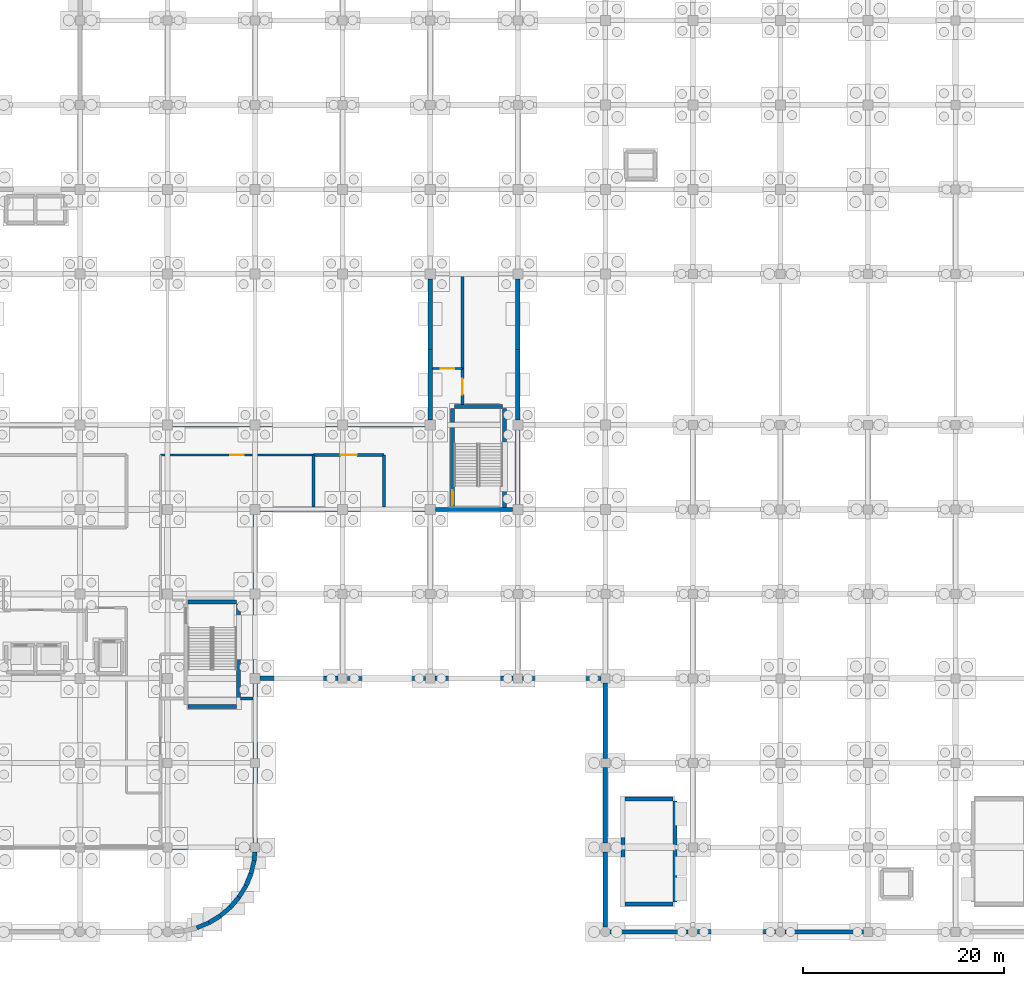
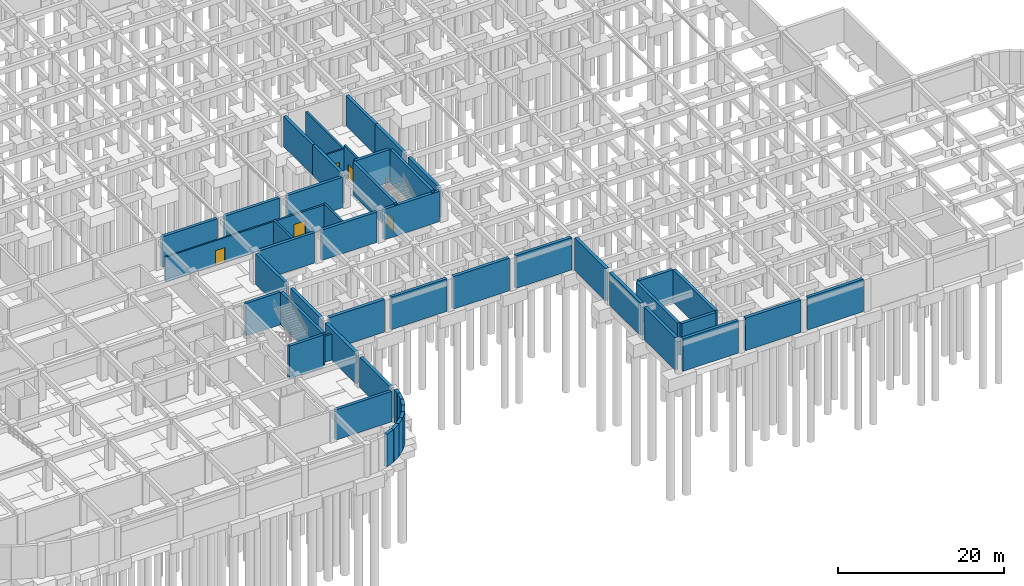
# One storey, part 26 of 33: 52 walls, 5 doors, 5 openings.
"""IFC4 building model written with IfcOpenShell, lengths in metres."""

import ifcopenshell
import ifcopenshell.guid

model = None  # the IFC model being written
_history = None  # IfcOwnerHistory: only IFC2X3 demands one
_inside = {}  # id of a spatial element -> (the spatial element, [elements in it])
_under = {}  # id of a project, library or spatial element -> (it, [spatial elements below it])
_declared = {}  # id of a project -> (the project, [libraries it declares])
_typed = {}  # id of a type object -> (the type object, [elements of that type])
_made_of = {}  # id of a material, layer set ... -> (it, [elements and type objects made of it])


def new_model(schema):
    """Start an empty IFC model of exactly this schema.

    Asked for "IFC4X3", IfcOpenShell would pick the latest addendum, in which some entities
    have other attributes; the version numbers below select the first issue.
    IFC2X3 requires an IfcOwnerHistory on every rooted entity: one is made here for all.
    """
    global model, _history
    if schema == "IFC4X3":
        model = ifcopenshell.file(schema_version=(4, 3, 0, 0))
    else:
        model = ifcopenshell.file(schema=schema)
    _inside.clear()
    _under.clear()
    _declared.clear()
    _typed.clear()
    _made_of.clear()
    _history = None
    if model.schema == "IFC2X3":
        org = make("IfcOrganization", Name="unknown")
        user = make(
            "IfcPersonAndOrganization",
            ThePerson=make("IfcPerson", FamilyName="unknown"),
            TheOrganization=org,
        )
        app = make(
            "IfcApplication",
            ApplicationDeveloper=org,
            Version="unknown",
            ApplicationFullName="unknown",
            ApplicationIdentifier="unknown",
        )
        _history = make(
            "IfcOwnerHistory",
            OwningUser=user,
            OwningApplication=app,
            ChangeAction="ADDED",
            CreationDate=0,
        )
    return model


def make(cls, **values):
    """One entity of the class cls with the attributes given. An attribute that is None is left unset."""
    return model.create_entity(
        cls, **{name: value for name, value in values.items() if value is not None}
    )


def rooted(cls, **values):
    """An entity with a GlobalId (a new one), such as an element, a storey or a relation."""
    return make(cls, GlobalId=ifcopenshell.guid.new(), OwnerHistory=_history, **values)


def si_unit(unit_type, name, prefix=None):
    """IfcSIUnit, for example si_unit("LENGTHUNIT", "METRE", prefix="MILLI")."""
    return make("IfcSIUnit", UnitType=unit_type, Prefix=prefix, Name=name)


def derived_unit(unit_type, elements):
    """IfcDerivedUnit: a product of units, each with its exponent."""
    return make(
        "IfcDerivedUnit",
        Elements=[
            make("IfcDerivedUnitElement", Unit=unit, Exponent=power)
            for unit, power in elements
        ],
        UnitType=unit_type,
    )


def assignment(units):
    """IfcUnitAssignment: the units of a project."""
    return None if units is None else make("IfcUnitAssignment", Units=units)


def point(xyz):
    """IfcCartesianPoint."""
    return None if xyz is None else make("IfcCartesianPoint", Coordinates=xyz)


def direction(xyz):
    """IfcDirection."""
    return None if xyz is None else make("IfcDirection", DirectionRatios=xyz)


def frame(location, z_axis=None, x_axis=None):
    """IfcAxis2Placement3D, a coordinate frame: its origin and axes. An axis left out is left unset."""
    return make(
        "IfcAxis2Placement3D",
        Location=point(location),
        Axis=direction(z_axis),
        RefDirection=direction(x_axis),
    )


def frame_2d(location, x_axis=None):
    """IfcAxis2Placement2D, a coordinate frame in the plane: its origin and x axis."""
    return make(
        "IfcAxis2Placement2D", Location=point(location), RefDirection=direction(x_axis)
    )


def origin():
    """The frame at (0, 0, 0) with its axes left unset."""
    return frame((0.0, 0.0, 0.0))


def place(relative_to, where):
    """IfcLocalPlacement: puts the frame where relative to a parent placement (None: the world)."""
    return make(
        "IfcLocalPlacement", PlacementRelTo=relative_to, RelativePlacement=where
    )


def context(
    kind, dimensions, precision=None, world=None, true_north=None, identifier=None
):
    """IfcGeometricRepresentationContext, for example the 3D "Model" context."""
    return make(
        "IfcGeometricRepresentationContext",
        ContextIdentifier=identifier,
        ContextType=kind,
        CoordinateSpaceDimension=dimensions,
        Precision=precision,
        WorldCoordinateSystem=world,
        TrueNorth=true_north,
    )


def subcontext(parent, identifier, kind, view, scale=None):
    """IfcGeometricRepresentationSubContext, for example "Body" below "Model"."""
    return make(
        "IfcGeometricRepresentationSubContext",
        ContextIdentifier=identifier,
        ContextType=kind,
        ParentContext=parent,
        TargetScale=scale,
        TargetView=view,
    )


def project(units=None, contexts=None):
    """IfcProject with its units and contexts."""
    return rooted(
        "IfcProject",
        Name="project",
        RepresentationContexts=contexts,
        UnitsInContext=assignment(units),
    )


def spatial(cls, under=None, at=None, **own):
    """A site, building, storey or space (cls), placed at a placement, below another one or the project."""
    s = rooted(cls, ObjectPlacement=at, **own)
    if under is not None:
        _under.setdefault(under.id(), (under, []))[1].append(s)
    return s


def profile(cls, at=None, kind="AREA", **sizes):
    """A parametric profile (cls). Its sizes go by their IFC names, for example OverallWidth=200.0."""
    return make(cls, ProfileType=kind, Position=at, **sizes)


def rectangle(**sizes):
    """IfcRectangleProfileDef."""
    return profile("IfcRectangleProfileDef", **sizes)


def extrude(swept, where, along, depth):
    """IfcExtrudedAreaSolid: the profile swept, set in the frame where, extruded along a direction by depth."""
    return make(
        "IfcExtrudedAreaSolid",
        SweptArea=swept,
        Position=where,
        ExtrudedDirection=direction(along),
        Depth=depth,
    )


def shape(context_of_items, identifier, shape_type, items):
    """IfcShapeRepresentation: the items that make up one representation, for example the "Body"."""
    return make(
        "IfcShapeRepresentation",
        ContextOfItems=context_of_items,
        RepresentationIdentifier=identifier,
        RepresentationType=shape_type,
        Items=items,
    )


def material(Name=None, Category=None):
    """IfcMaterial."""
    return make("IfcMaterial", Name=Name, Category=Category)


def layer(
    of_material, thickness, ventilated=None, Name=None, Category=None, Priority=None
):
    """IfcMaterialLayer: one layer of a wall or slab, of a material (None: an air gap)."""
    return make(
        "IfcMaterialLayer",
        Material=of_material,
        LayerThickness=thickness,
        IsVentilated=ventilated,
        Name=Name,
        Category=Category,
        Priority=Priority,
    )


def layer_set(layers, Name=None):
    """IfcMaterialLayerSet."""
    return make("IfcMaterialLayerSet", MaterialLayers=layers, LayerSetName=Name)


def made_of(thing, what):
    """Note that an element or type object is made of a material, layer set ...; save() writes the relation."""
    if what is not None:
        _made_of.setdefault(what.id(), (what, []))[1].append(thing)
    return thing


def type_object(cls, material=None, **own):
    """A type object (cls), such as IfcWallType, which elements share."""
    return made_of(rooted(cls, **own), material)


def element(
    cls,
    number,
    at=None,
    inside=None,
    cuts=None,
    type_object=None,
    material=None,
    context=None,
    identifier="Body",
    shape_type=None,
    held_by="IfcProductDefinitionShape",
    body=None,
    shapes=None,
    **own,
):
    """One element of the class cls, such as IfcWall. Its Tag is "e" and its number.

    at: its placement. inside: the storey or other place that contains it. cuts: it is an
    opening in that element (IfcRelVoidsElement). A single representation is given by context,
    identifier, shape_type and body (its items); several are given by shapes. held_by: the class
    of the entity that holds the representations. save() writes the other relations.
    """
    e = rooted(cls, Tag="e%d" % number, ObjectPlacement=at, **own)
    if body is not None:
        shapes = [shape(context, identifier, shape_type, body)]
    if shapes is not None:
        e.Representation = make(held_by, Representations=shapes)
    if inside is not None:
        _inside.setdefault(inside.id(), (inside, []))[1].append(e)
    if cuts is not None:
        rooted(
            "IfcRelVoidsElement", RelatingBuildingElement=cuts, RelatedOpeningElement=e
        )
    if type_object is not None:
        _typed.setdefault(type_object.id(), (type_object, []))[1].append(e)
    return made_of(e, material)


def fill(opening, filler):
    """IfcRelFillsElement: the door or window that sits in an opening."""
    return rooted(
        "IfcRelFillsElement",
        RelatingOpeningElement=opening,
        RelatedBuildingElement=filler,
    )


def aggregate(whole, parts):
    """IfcRelAggregates: a whole, such as a stair, and the parts it consists of."""
    return rooted("IfcRelAggregates", RelatingObject=whole, RelatedObjects=parts)


def save(model, path):
    """Write the relations noted so far, then the file.

    IfcRelAggregates (storeys below a building ...), IfcRelContainedInSpatialStructure (elements
    in a storey), IfcRelDefinesByType, IfcRelAssociatesMaterial and IfcRelDeclares: one each for
    every whole, place, type object, material and project.
    """
    for whole, parts in _under.values():
        aggregate(whole, parts)
    for where, things in _inside.values():
        rooted(
            "IfcRelContainedInSpatialStructure",
            RelatedElements=things,
            RelatingStructure=where,
        )
    for kind, things in _typed.values():
        rooted("IfcRelDefinesByType", RelatedObjects=things, RelatingType=kind)
    for what, things in _made_of.values():
        rooted("IfcRelAssociatesMaterial", RelatedObjects=things, RelatingMaterial=what)
    for by, libraries in _declared.values():
        rooted("IfcRelDeclares", RelatingContext=by, RelatedDefinitions=libraries)
    model.write(path)


model = new_model("IFC4")

# Units and contexts
model_context = context("Model", 3, precision=1e-05, world=origin(), true_north=direction((0.0, 1.0)))
body_context = subcontext(model_context, "Body", "Model", "MODEL_VIEW")
ifc_project = project(units=[si_unit("LENGTHUNIT", "METRE"), si_unit("AREAUNIT", "SQUARE_METRE"), si_unit("VOLUMEUNIT", "CUBIC_METRE"), si_unit("PLANEANGLEUNIT", "RADIAN"), si_unit("MASSUNIT", "GRAM", prefix="KILO"), derived_unit("THERMALTRANSMITTANCEUNIT", [(si_unit("MASSUNIT", "GRAM", prefix="KILO"), 1), (si_unit("TIMEUNIT", "SECOND"), -3), (si_unit("THERMODYNAMICTEMPERATUREUNIT", "KELVIN"), -1)])], contexts=[model_context])

# Site, building, storey
site_placement = place(None, origin())
site = spatial("IfcSite", under=ifc_project, at=site_placement, CompositionType="ELEMENT")
building_placement = place(site_placement, origin())
building = spatial("IfcBuilding", under=site, at=building_placement, Name="Qinzheling Arcade Emporium", CompositionType="ELEMENT")
storey_placement = place(building_placement, frame((0.0, 0.0, -9.60009765625)))
storey = spatial("IfcBuildingStorey", under=building, at=storey_placement, Name="B2", CompositionType="ELEMENT", Elevation=-9.60009765625)

# Wall, opening, door
ifc_material_1 = material(Name="Double-stud acoustic gypsum board partition")
ifc_layer_1 = layer(ifc_material_1, 0.215087890625, Name="Double-stud acoustic gypsum board partition")
ifc_layer_set_1 = layer_set([ifc_layer_1], Name="Double-stud acoustic gypsum board partition")
wall_type_1 = type_object("IfcWallType", Name="Acoustic Corridor Partition Wall 215", PredefinedType="PARTITIONING", material=ifc_layer_set_1)
wall_1_placement = place(storey_placement, frame((87.2099609375, 56.0, 0.0), z_axis=(0.0, 0.0, 1.0), x_axis=(1.0, 0.0, 0.0)))
wall_1 = element("IfcWall", 1, at=wall_1_placement, inside=storey, type_object=wall_type_1, Name="Interior Wall WL-B2-INT-0060", PredefinedType="PARTITIONING", context=body_context, shape_type="SweptSolid", body=[
    extrude(rectangle(XDim=2.989990234375, YDim=0.215087890625, at=frame_2d((1.4951171875, 0.0))), origin(), (0.0, 0.0, 1.0), 3.982177734375),
])
opening_1_placement = place(wall_1_placement, frame((0.820068359375, 0.0, 0.0)))
opening_1 = element("IfcOpeningElement", 2, at=opening_1_placement, cuts=wall_1, Name="Opening FD05", PredefinedType="OPENING", context=body_context, shape_type="SweptSolid", body=[
    extrude(rectangle(XDim=1.35009765625, YDim=2.199951171875, at=frame_2d((0.675048828125, 1.10009765625))), frame((0.0, 0.11767578125, 0.0), z_axis=(0.0, -1.0, 0.0), x_axis=(1.0, 0.0, 0.0)), (0.0, 0.0, 1.0), 0.235107421875),
])
ifc_material_2 = material(Name="Class B fire-rated stainless-clad door")
door_type_1 = type_object("IfcDoorType", Name="Kitchen Fire-Rated Service Door 1350x2200", OperationType="NOTDEFINED", PredefinedType="DOOR", material=ifc_material_2)
door_1_placement = place(opening_1_placement, origin())
door_1 = element("IfcDoor", 3, at=door_1_placement, inside=storey, type_object=door_type_1, Name="FD05 Interior Door DR-B2-INT-0021", OperationType="SINGLE_SWING_RIGHT", OverallHeight=2.199951171875, OverallWidth=1.35009765625, PredefinedType="DOOR", context=body_context, shape_type="SweptSolid", body=[
    extrude(rectangle(XDim=1.35009765625, YDim=2.199951171875, at=frame_2d((0.675048828125, 1.10009765625))), frame((0.0, 0.02490234375, 0.0), z_axis=(0.0, -1.0, 0.0), x_axis=(1.0, 0.0, 0.0)), (0.0, 0.0, 1.0), 0.050048828125),
])
fill(opening_1, door_1)

wall_2_placement = place(storey_placement, frame((75.39990234375, 47.39990234375, 0.0), z_axis=(0.0, 0.0, 1.0), x_axis=(-1.0, 0.0, 0.0)))
wall_2 = element("IfcWall", 4, at=wall_2_placement, inside=storey, type_object=wall_type_1, Name="Interior Wall WL-B2-INT-0063", PredefinedType="PARTITIONING", context=body_context, shape_type="SweptSolid", body=[
    extrude(rectangle(XDim=15.199951171875, YDim=0.215087890625, at=frame_2d((7.60009765625, 0.0))), origin(), (0.0, 0.0, 1.0), 3.670166015625),
])
opening_2_placement = place(wall_2_placement, frame((6.925048828125, 0.0, 0.0)))
opening_2 = element("IfcOpeningElement", 5, at=opening_2_placement, cuts=wall_2, Name="Opening FD05", PredefinedType="OPENING", context=body_context, shape_type="SweptSolid", body=[
    extrude(rectangle(XDim=1.35009765625, YDim=2.199951171875, at=frame_2d((0.675048828125, 1.10009765625))), frame((0.0, 0.11767578125, 0.0), z_axis=(0.0, -1.0, 0.0), x_axis=(1.0, 0.0, 0.0)), (0.0, 0.0, 1.0), 0.235107421875),
])
door_2_placement = place(opening_2_placement, origin())
door_2 = element("IfcDoor", 6, at=door_2_placement, inside=storey, type_object=door_type_1, Name="FD05 Interior Door DR-B2-INT-0022", OperationType="SINGLE_SWING_LEFT", OverallHeight=2.199951171875, OverallWidth=1.35009765625, PredefinedType="DOOR", context=body_context, shape_type="SweptSolid", body=[
    extrude(rectangle(XDim=1.35009765625, YDim=2.199951171875, at=frame_2d((0.675048828125, 1.10009765625))), frame((0.0, 0.02490234375, 0.0), z_axis=(0.0, -1.0, 0.0), x_axis=(1.0, 0.0, 0.0)), (0.0, 0.0, 1.0), 0.050048828125),
])
fill(opening_2, door_2)

# Walls
ifc_material_3 = material(Name="Concrete C40", Category="concrete")
ifc_layer_2 = layer(ifc_material_3, 0.419921875, Name="Concrete C40", Category="concrete")
ifc_layer_set_2 = layer_set([ifc_layer_2], Name="Concrete C40")
wall_type_2 = type_object("IfcWallType", Name="Basement Ramp Retaining Wall 420 C40", PredefinedType="USERDEFINED", material=ifc_layer_set_2)
wall_3_placement = place(storey_placement, frame((69.60009765625, 16.347900390625, 0.0), z_axis=(0.0, 0.0, 1.0), x_axis=(0.0, -1.0, 0.0)))
element("IfcWall", 7, at=wall_3_placement, inside=storey, type_object=wall_type_2, Name="Retaining Wall WL-B2-RW-002", ObjectType="RETAININGWALL", PredefinedType="USERDEFINED", context=body_context, shape_type="SweptSolid", body=[
    extrude(rectangle(XDim=7.495849609375, YDim=0.419921875, at=frame_2d((3.748046875, 0.0))), origin(), (0.0, 0.0, 1.0), 4.47998046875),
])
wall_4_placement = place(storey_placement, frame((69.4970703125, 7.0859375, 0.0), z_axis=(0.0, 0.0, 1.0), x_axis=(-0.233681085976, -0.972313298303, 0.0)))
element("IfcWall", 8, at=wall_4_placement, inside=storey, type_object=wall_type_2, Name="Retaining Wall WL-B2-RW-004", ObjectType="RETAININGWALL", PredefinedType="USERDEFINED", context=body_context, shape_type="SweptSolid", body=[
    extrude(rectangle(XDim=1.318603515625, YDim=0.419921875, at=frame_2d((0.6591796875, 0.0))), origin(), (0.0, 0.0, 1.0), 4.800048828125),
])
wall_5_placement = place(storey_placement, frame((68.68408203125, 4.5859375, 0.0), z_axis=(0.0, 0.0, 1.0), x_axis=(-0.522379477954, -0.852713129378, 0.0)))
element("IfcWall", 9, at=wall_5_placement, inside=storey, type_object=wall_type_2, Name="Retaining Wall WL-B2-RW-006", ObjectType="RETAININGWALL", PredefinedType="USERDEFINED", context=body_context, shape_type="SweptSolid", body=[
    extrude(rectangle(XDim=1.317138671875, YDim=0.419921875, at=frame_2d((0.65869140625, 0.0))), origin(), (0.0, 0.0, 1.0), 4.800048828125),
])
for number, where, z_axis, x_axis, name in (
    (10, (67.139892578125, 2.4599609375, 0.0), (0.0, 0.0, 1.0), (-0.760640319893, -0.649173554417, 0.0), "Retaining Wall WL-B2-RW-008"),
    (11, (65.013916015625, 0.916015625, 0.0), (0.0, 0.0, 1.0), (-0.923716547568, -0.383076676071, 0.0), "Retaining Wall WL-B2-RW-010"),
):
    element("IfcWall", number, at=place(storey_placement, frame(where, z_axis=z_axis, x_axis=x_axis)), inside=storey, type_object=wall_type_2, Name=name, ObjectType="RETAININGWALL", PredefinedType="USERDEFINED", context=body_context, shape_type="SweptSolid", body=[
        extrude(rectangle(XDim=1.318603515625, YDim=0.419921875, at=frame_2d((0.6591796875, 0.0))), origin(), (0.0, 0.0, 1.0), 4.800048828125),
    ])
wall_6_placement = place(storey_placement, frame((130.048095703125, 0.0, 0.0), z_axis=(0.0, 0.0, 1.0), x_axis=(-1.0, 0.0, 0.0)))
element("IfcWall", 12, at=wall_6_placement, inside=storey, type_object=wall_type_2, Name="Retaining Wall WL-B2-RW-122", ObjectType="RETAININGWALL", PredefinedType="USERDEFINED", context=body_context, shape_type="SweptSolid", body=[
    extrude(rectangle(XDim=7.77099609375, YDim=0.419921875, at=frame_2d((3.885498046875, 0.0))), origin(), (0.0, 0.0, 1.0), 4.800048828125),
])
wall_7_placement = place(storey_placement, frame((112.623046875, 0.0, 0.0), z_axis=(0.0, 0.0, 1.0), x_axis=(-1.0, 0.0, 0.0)))
element("IfcWall", 13, at=wall_7_placement, inside=storey, type_object=wall_type_2, Name="Retaining Wall WL-B2-RW-124", ObjectType="RETAININGWALL", PredefinedType="USERDEFINED", context=body_context, shape_type="SweptSolid", body=[
    extrude(rectangle(XDim=7.74609375, YDim=0.419921875, at=frame_2d((3.873046875, 0.0))), origin(), (0.0, 0.0, 1.0), 4.800048828125),
])
wall_8_placement = place(storey_placement, frame((104.39990234375, 8.85205078125, 0.0), z_axis=(0.0, 0.0, 1.0), x_axis=(0.0, 1.0, 0.0)))
element("IfcWall", 14, at=wall_8_placement, inside=storey, type_object=wall_type_2, Name="Retaining Wall WL-B2-RW-126", ObjectType="RETAININGWALL", PredefinedType="USERDEFINED", context=body_context, shape_type="SweptSolid", body=[
    extrude(rectangle(XDim=7.495849609375, YDim=0.419921875, at=frame_2d((3.748046875, 0.0))), origin(), (0.0, 0.0, 1.0), 4.800048828125),
])
wall_9_placement = place(storey_placement, frame((103.947998046875, 25.199951171875, 0.0), z_axis=(0.0, 0.0, 1.0), x_axis=(-1.0, 0.0, 0.0)))
element("IfcWall", 15, at=wall_9_placement, inside=storey, type_object=wall_type_2, Name="Retaining Wall WL-B2-RW-128", ObjectType="RETAININGWALL", PredefinedType="USERDEFINED", context=body_context, shape_type="SweptSolid", body=[
    extrude(rectangle(XDim=7.7958984375, YDim=0.419921875, at=frame_2d((3.89794921875, 0.0))), origin(), (0.0, 0.0, 1.0), 4.800048828125),
])
wall_10_placement = place(storey_placement, frame((86.548095703125, 25.199951171875, 0.0), z_axis=(0.0, 0.0, 1.0), x_axis=(-1.0, 0.0, 0.0)))
element("IfcWall", 16, at=wall_10_placement, inside=storey, type_object=wall_type_2, Name="Retaining Wall WL-B2-RW-130", ObjectType="RETAININGWALL", PredefinedType="USERDEFINED", context=body_context, shape_type="SweptSolid", body=[
    extrude(rectangle(XDim=7.796142578125, YDim=0.419921875, at=frame_2d((3.89794921875, 0.0))), origin(), (0.0, 0.0, 1.0), 4.800048828125),
])
ifc_layer_3 = layer(ifc_material_3, 0.409912109375, Name="Concrete C40", Category="concrete")
ifc_layer_set_3 = layer_set([ifc_layer_3], Name="Concrete C40")
wall_type_3 = type_object("IfcWallType", Name="Interior Basement Retaining Wall 410 C40", PredefinedType="USERDEFINED", material=ifc_layer_set_3)
wall_11_placement = place(storey_placement, frame((61.402099609375, 50.39990234375, 0.0), z_axis=(0.0, 0.0, 1.0), x_axis=(1.0, 0.0, 0.0)))
element("IfcWall", 17, at=wall_11_placement, inside=storey, type_object=wall_type_3, Name="Internal Basement Retaining Wall WL-B2-RW-146", ObjectType="RETAININGWALL", PredefinedType="USERDEFINED", context=body_context, shape_type="SweptSolid", body=[
    extrude(rectangle(XDim=7.69580078125, YDim=0.409912109375, at=frame_2d((3.847900390625, 0.0))), origin(), (0.0, 0.0, 1.0), 4.47998046875),
])
for number, where, z_axis, x_axis, name in (
    (18, (70.10205078125, 50.39990234375, 0.0), (0.0, 0.0, 1.0), (1.0, 0.0, 0.0), "Internal Basement Retaining Wall WL-B2-RW-147"),
    (19, (78.802001953125, 50.39990234375, 0.0), (0.0, 0.0, 1.0), (1.0, 0.0, 0.0), "Internal Basement Retaining Wall WL-B2-RW-148"),
):
    element("IfcWall", number, at=place(storey_placement, frame(where, z_axis=z_axis, x_axis=x_axis)), inside=storey, type_object=wall_type_3, Name=name, ObjectType="RETAININGWALL", PredefinedType="USERDEFINED", context=body_context, shape_type="SweptSolid", body=[
        extrude(rectangle(XDim=7.696044921875, YDim=0.409912109375, at=frame_2d((3.84814453125, 0.0))), origin(), (0.0, 0.0, 1.0), 4.47998046875),
    ])
for number, where, z_axis, x_axis, name in (
    (20, (87.0, 50.902099609375, 0.0), (0.0, 0.0, 1.0), (0.0, 1.0, 0.0), "Internal Basement Retaining Wall WL-B2-RW-149"),
    (21, (87.0, 57.902099609375, 0.0), (0.0, 0.0, 1.0), (0.0, 1.0, 0.0), "Internal Basement Retaining Wall WL-B2-RW-150"),
    (22, (95.699951171875, 64.89794921875, 0.0), (0.0, 0.0, 1.0), (0.0, -1.0, 0.0), "Internal Basement Retaining Wall WL-B2-RW-152"),
    (23, (95.699951171875, 57.89794921875, 0.0), (0.0, 0.0, 1.0), (0.0, -1.0, 0.0), "Internal Basement Retaining Wall WL-B2-RW-153"),
):
    element("IfcWall", number, at=place(storey_placement, frame(where, z_axis=z_axis, x_axis=x_axis)), inside=storey, type_object=wall_type_3, Name=name, ObjectType="RETAININGWALL", PredefinedType="USERDEFINED", context=body_context, shape_type="SweptSolid", body=[
        extrude(rectangle(XDim=6.995849609375, YDim=0.409912109375, at=frame_2d((3.498046875, 0.0))), origin(), (0.0, 0.0, 1.0), 4.47998046875),
    ])
wall_12_placement = place(storey_placement, frame((95.699951171875, 49.89794921875, 0.0), z_axis=(0.0, 0.0, 1.0), x_axis=(0.0, -1.0, 0.0)))
element("IfcWall", 24, at=wall_12_placement, inside=storey, type_object=wall_type_3, Name="Internal Basement Retaining Wall WL-B2-RW-154", ObjectType="RETAININGWALL", PredefinedType="USERDEFINED", context=body_context, shape_type="SweptSolid", body=[
    extrude(rectangle(XDim=7.39599609375, YDim=0.409912109375, at=frame_2d((3.697998046875, 0.0))), origin(), (0.0, 0.0, 1.0), 4.47998046875),
])
for number, where, z_axis, x_axis, name in (
    (25, (95.197998046875, 42.0, 0.0), (0.0, 0.0, 1.0), (-1.0, 0.0, 0.0), "Internal Basement Retaining Wall WL-B2-RW-155"),
    (26, (86.498046875, 42.0, 0.0), (0.0, 0.0, 1.0), (-1.0, 0.0, 0.0), "Internal Basement Retaining Wall WL-B2-RW-156"),
    (27, (77.798095703125, 42.0, 0.0), (0.0, 0.0, 1.0), (-1.0, 0.0, 0.0), "Internal Basement Retaining Wall WL-B2-RW-157"),
):
    element("IfcWall", number, at=place(storey_placement, frame(where, z_axis=z_axis, x_axis=x_axis)), inside=storey, type_object=wall_type_3, Name=name, ObjectType="RETAININGWALL", PredefinedType="USERDEFINED", context=body_context, shape_type="SweptSolid", body=[
        extrude(rectangle(XDim=7.696044921875, YDim=0.409912109375, at=frame_2d((3.84814453125, 0.0))), origin(), (0.0, 0.0, 1.0), 4.47998046875),
    ])
for number, where, z_axis, x_axis, name in (
    (28, (69.60009765625, 41.498046875, 0.0), (0.0, 0.0, 1.0), (0.0, -1.0, 0.0), "Internal Basement Retaining Wall WL-B2-RW-158"),
    (29, (69.60009765625, 33.097900390625, 0.0), (0.0, 0.0, 1.0), (0.0, -1.0, 0.0), "Internal Basement Retaining Wall WL-B2-RW-159"),
):
    element("IfcWall", number, at=place(storey_placement, frame(where, z_axis=z_axis, x_axis=x_axis)), inside=storey, type_object=wall_type_3, Name=name, ObjectType="RETAININGWALL", PredefinedType="USERDEFINED", context=body_context, shape_type="SweptSolid", body=[
        extrude(rectangle(XDim=7.39599609375, YDim=0.409912109375, at=frame_2d((3.697998046875, 0.0))), origin(), (0.0, 0.0, 1.0), 4.47998046875),
    ])
wall_13_placement = place(storey_placement, frame((69.14794921875, 8.39990234375, 0.0), z_axis=(0.0, 0.0, 1.0), x_axis=(-1.0, 0.0, 0.0)))
element("IfcWall", 30, at=wall_13_placement, inside=storey, type_object=wall_type_3, Name="Internal Basement Retaining Wall WL-B2-RW-160", ObjectType="RETAININGWALL", PredefinedType="USERDEFINED", context=body_context, shape_type="SweptSolid", body=[
    extrude(rectangle(XDim=7.7958984375, YDim=0.409912109375, at=frame_2d((3.89794921875, 0.0))), origin(), (0.0, 0.0, 1.0), 4.47998046875),
])
ifc_material_4 = material(Name="Concrete C50", Category="concrete")
ifc_layer_4 = layer(ifc_material_4, 0.39990234375, Name="Concrete C50", Category="concrete")
ifc_layer_set_4 = layer_set([ifc_layer_4], Name="Concrete C50")
wall_type_4 = type_object("IfcWallType", Name="RC Stair Core Shear Wall 400 C50", PredefinedType="SHEAR", material=ifc_layer_set_4)
wall_14_placement = place(storey_placement, frame((67.93994140625, 32.60009765625, 0.0), z_axis=(0.0, 0.0, 1.0), x_axis=(0.0, -1.0, 0.0)))
element("IfcWall", 31, at=wall_14_placement, inside=storey, type_object=wall_type_4, Name="Stair Core Wall WL-B2-ST01-EAST", PredefinedType="SHEAR", context=body_context, shape_type="SweptSolid", body=[
    extrude(rectangle(XDim=10.0, YDim=0.39990234375, at=frame_2d((5.0, 0.0))), origin(), (0.0, 0.0, 1.0), 4.800048828125),
])
for number, where, z_axis, x_axis, name in (
    (32, (67.739990234375, 22.39990234375, 0.0), (0.0, 0.0, 1.0), (-1.0, 0.0, 0.0), "Stair Core Wall WL-B2-ST01-SOUTH"),
    (33, (62.949951171875, 32.800048828125, 0.0), (0.0, 0.0, 1.0), (1.0, 0.0, 0.0), "Stair Core Wall WL-B2-ST01-NORTH"),
):
    element("IfcWall", number, at=place(storey_placement, frame(where, z_axis=z_axis, x_axis=x_axis)), inside=storey, type_object=wall_type_4, Name=name, PredefinedType="SHEAR", context=body_context, shape_type="SweptSolid", body=[
        extrude(rectangle(XDim=4.7900390625, YDim=0.39990234375, at=frame_2d((2.39501953125, 0.0))), origin(), (0.0, 0.0, 1.0), 4.800048828125),
    ])

# Wall, opening, door
wall_15_placement = place(storey_placement, frame((89.199951171875, 42.0, 0.0), z_axis=(0.0, 0.0, 1.0), x_axis=(0.0, 1.0, 0.0)))
wall_15 = element("IfcWall", 34, at=wall_15_placement, inside=storey, type_object=wall_type_4, Name="Stair Core Wall WL-B2-ST04-WEST", PredefinedType="SHEAR", context=body_context, shape_type="SweptSolid", body=[
    extrude(rectangle(XDim=10.0, YDim=0.39990234375, at=frame_2d((5.0, 0.0))), origin(), (0.0, 0.0, 1.0), 4.800048828125),
])
opening_3_placement = place(wall_15_placement, frame((0.409912109375, 0.0, 0.0)))
opening_3 = element("IfcOpeningElement", 35, at=opening_3_placement, cuts=wall_15, Name="Opening FD01", PredefinedType="OPENING", context=body_context, shape_type="SweptSolid", body=[
    extrude(rectangle(XDim=1.5, YDim=2.199951171875, at=frame_2d((0.75, 1.10009765625))), frame((0.0, 0.2099609375, 0.0), z_axis=(0.0, -1.0, 0.0), x_axis=(1.0, 0.0, 0.0)), (0.0, 0.0, 1.0), 0.419921875),
])
ifc_material_5 = material(Name="Class A fire-rated steel double door", Category="steel")
door_type_2 = type_object("IfcDoorType", Name="Stairwell Smoke-Proof Fire Door 1500x2200", OperationType="DOUBLE_DOOR_SINGLE_SWING", PredefinedType="DOOR", material=ifc_material_5)
door_3_placement = place(opening_3_placement, origin())
door_3 = element("IfcDoor", 36, at=door_3_placement, inside=storey, type_object=door_type_2, Name="FD01 Stairwell Fire Door DR-B2-ST04-FD", OperationType="DOUBLE_DOOR_SINGLE_SWING", OverallHeight=2.199951171875, OverallWidth=1.5, PredefinedType="DOOR", context=body_context, shape_type="SweptSolid", body=[
    extrude(rectangle(XDim=1.5, YDim=2.199951171875, at=frame_2d((0.75, 1.10009765625))), frame((0.0, 0.02490234375, 0.0), z_axis=(0.0, -1.0, 0.0), x_axis=(1.0, 0.0, 0.0)), (0.0, 0.0, 1.0), 0.050048828125),
])
fill(opening_3, door_3)

# Walls
wall_16_placement = place(storey_placement, frame((94.389892578125, 52.0, 0.0), z_axis=(0.0, 0.0, 1.0), x_axis=(0.0, -1.0, 0.0)))
element("IfcWall", 37, at=wall_16_placement, inside=storey, type_object=wall_type_4, Name="Stair Core Wall WL-B2-ST04-EAST", PredefinedType="SHEAR", context=body_context, shape_type="SweptSolid", body=[
    extrude(rectangle(XDim=10.0, YDim=0.39990234375, at=frame_2d((5.0, 0.0))), origin(), (0.0, 0.0, 1.0), 4.800048828125),
])
wall_17_placement = place(storey_placement, frame((89.39990234375, 52.199951171875, 0.0), z_axis=(0.0, 0.0, 1.0), x_axis=(1.0, 0.0, 0.0)))
element("IfcWall", 38, at=wall_17_placement, inside=storey, type_object=wall_type_4, Name="Stair Core Wall WL-B2-ST04-NORTH", PredefinedType="SHEAR", context=body_context, shape_type="SweptSolid", body=[
    extrude(rectangle(XDim=4.7900390625, YDim=0.39990234375, at=frame_2d((2.39501953125, 0.0))), origin(), (0.0, 0.0, 1.0), 4.800048828125),
])
for number, where, z_axis, x_axis, name in (
    (39, (106.155029296875, 3.0, 0.0), (0.0, 0.0, 1.0), (0.0, 1.0, 0.0), "Stair Core Wall WL-B2-ST05-WEST"),
    (40, (111.344970703125, 13.0, 0.0), (0.0, 0.0, 1.0), (0.0, -1.0, 0.0), "Stair Core Wall WL-B2-ST05-EAST"),
):
    element("IfcWall", number, at=place(storey_placement, frame(where, z_axis=z_axis, x_axis=x_axis)), inside=storey, type_object=wall_type_4, Name=name, PredefinedType="SHEAR", context=body_context, shape_type="SweptSolid", body=[
        extrude(rectangle(XDim=10.0, YDim=0.39990234375, at=frame_2d((5.0, 0.0))), origin(), (0.0, 0.0, 1.0), 4.800048828125),
    ])
for number, where, z_axis, x_axis, name in (
    (41, (111.14501953125, 2.800048828125, 0.0), (0.0, 0.0, 1.0), (-1.0, 0.0, 0.0), "Stair Core Wall WL-B2-ST05-SOUTH"),
    (42, (106.35498046875, 13.199951171875, 0.0), (0.0, 0.0, 1.0), (1.0, 0.0, 0.0), "Stair Core Wall WL-B2-ST05-NORTH"),
):
    element("IfcWall", number, at=place(storey_placement, frame(where, z_axis=z_axis, x_axis=x_axis)), inside=storey, type_object=wall_type_4, Name=name, PredefinedType="SHEAR", context=body_context, shape_type="SweptSolid", body=[
        extrude(rectangle(XDim=4.7900390625, YDim=0.39990234375, at=frame_2d((2.39501953125, 0.0))), origin(), (0.0, 0.0, 1.0), 4.800048828125),
    ])
ifc_material_6 = material(Name="Autoclaved aerated concrete masonry with fire plaster", Category="masonry")
ifc_layer_5 = layer(ifc_material_6, 0.284912109375, Name="Autoclaved aerated concrete masonry with fire plaster", Category="masonry")
ifc_layer_set_5 = layer_set([ifc_layer_5], Name="Autoclaved aerated concrete masonry with fire plaster")
wall_type_5 = type_object("IfcWallType", Name="Stockroom and Plant Fire Wall 285", PredefinedType="STANDARD", material=ifc_layer_set_5)
wall_18_placement = place(storey_placement, frame((82.39990234375, 42.2099609375, 0.0), z_axis=(0.0, 0.0, 1.0), x_axis=(0.0, 1.0, 0.0)))
element("IfcWall", 43, at=wall_18_placement, inside=storey, type_object=wall_type_5, Name="Interior Wall WL-B2-INT-0052", PredefinedType="STANDARD", context=body_context, shape_type="SweptSolid", body=[
    extrude(rectangle(XDim=5.18994140625, YDim=0.284912109375, at=frame_2d((2.594970703125, 0.0))), origin(), (0.0, 0.0, 1.0), 3.820068359375),
])

# Wall, opening, door
wall_19_placement = place(storey_placement, frame((82.39990234375, 47.39990234375, 0.0), z_axis=(0.0, 0.0, 1.0), x_axis=(-1.0, 0.0, 0.0)))
wall_19 = element("IfcWall", 44, at=wall_19_placement, inside=storey, type_object=wall_type_5, Name="Interior Wall WL-B2-INT-0053", PredefinedType="STANDARD", context=body_context, shape_type="SweptSolid", body=[
    extrude(rectangle(XDim=7.0, YDim=0.284912109375, at=frame_2d((3.5, 0.0))), origin(), (0.0, 0.0, 1.0), 3.670166015625),
])
opening_4_placement = place(wall_19_placement, frame((2.699951171875, 0.0, 0.0)))
opening_4 = element("IfcOpeningElement", 45, at=opening_4_placement, cuts=wall_19, Name="Opening FD04", PredefinedType="OPENING", context=body_context, shape_type="SweptSolid", body=[
    extrude(rectangle(XDim=1.60009765625, YDim=2.25, at=frame_2d((0.800048828125, 1.125))), frame((0.0, 0.15234375, 0.0), z_axis=(0.0, -1.0, 0.0), x_axis=(1.0, 0.0, 0.0)), (0.0, 0.0, 1.0), 0.304931640625),
])
door_type_3 = type_object("IfcDoorType", Name="Plant Room Fire Door 1600x2250", OperationType="DOUBLE_DOOR_SINGLE_SWING", PredefinedType="DOOR", material=ifc_material_5)
door_4_placement = place(opening_4_placement, origin())
door_4 = element("IfcDoor", 46, at=door_4_placement, inside=storey, type_object=door_type_3, Name="FD04 Interior Door DR-B2-INT-0017", OperationType="DOUBLE_DOOR_SINGLE_SWING", OverallHeight=2.25, OverallWidth=1.60009765625, PredefinedType="DOOR", context=body_context, shape_type="SweptSolid", body=[
    extrude(rectangle(XDim=1.60009765625, YDim=2.25, at=frame_2d((0.800048828125, 1.125))), frame((0.0, 0.02490234375, 0.0), z_axis=(0.0, -1.0, 0.0), x_axis=(1.0, 0.0, 0.0)), (0.0, 0.0, 1.0), 0.050048828125),
])
fill(opening_4, door_4)

wall_20_placement = place(storey_placement, frame((90.199951171875, 56.0, 0.0), z_axis=(0.0, 0.0, 1.0), x_axis=(0.0, -1.0, 0.0)))
wall_20 = element("IfcWall", 47, at=wall_20_placement, inside=storey, type_object=wall_type_5, Name="Interior Wall WL-B2-INT-0059", PredefinedType="STANDARD", context=body_context, shape_type="SweptSolid", body=[
    extrude(rectangle(XDim=3.594970703125, YDim=0.284912109375, at=frame_2d((1.79736328125, 0.0))), origin(), (0.0, 0.0, 1.0), 4.4501953125),
])
opening_5_placement = place(wall_20_placement, frame((0.9970703125, 0.0, 0.0)))
opening_5 = element("IfcOpeningElement", 48, at=opening_5_placement, cuts=wall_20, Name="Opening FD04", PredefinedType="OPENING", context=body_context, shape_type="SweptSolid", body=[
    extrude(rectangle(XDim=1.60009765625, YDim=2.25, at=frame_2d((0.800048828125, 1.125))), frame((0.0, 0.15234375, 0.0), z_axis=(0.0, -1.0, 0.0), x_axis=(1.0, 0.0, 0.0)), (0.0, 0.0, 1.0), 0.304931640625),
])
door_5_placement = place(opening_5_placement, origin())
door_5 = element("IfcDoor", 49, at=door_5_placement, inside=storey, type_object=door_type_3, Name="FD04 Interior Door DR-B2-INT-0020", OperationType="DOUBLE_DOOR_SINGLE_SWING", OverallHeight=2.25, OverallWidth=1.60009765625, PredefinedType="DOOR", context=body_context, shape_type="SweptSolid", body=[
    extrude(rectangle(XDim=1.60009765625, YDim=2.25, at=frame_2d((0.800048828125, 1.125))), frame((0.0, 0.02490234375, 0.0), z_axis=(0.0, -1.0, 0.0), x_axis=(1.0, 0.0, 0.0)), (0.0, 0.0, 1.0), 0.050048828125),
])
fill(opening_5, door_5)

# Walls
wall_21_placement = place(storey_placement, frame((75.39990234375, 42.2099609375, 0.0), z_axis=(0.0, 0.0, 1.0), x_axis=(0.0, 1.0, 0.0)))
element("IfcWall", 50, at=wall_21_placement, inside=storey, type_object=wall_type_5, Name="Interior Wall WL-B2-INT-0077", PredefinedType="STANDARD", context=body_context, shape_type="SweptSolid", body=[
    extrude(rectangle(XDim=5.18994140625, YDim=0.284912109375, at=frame_2d((2.594970703125, 0.0))), origin(), (0.0, 0.0, 1.0), 3.820068359375),
])
wall_22_placement = place(storey_placement, frame((68.14501953125, 23.199951171875, 0.0), z_axis=(0.0, 0.0, 1.0), x_axis=(1.0, 0.0, 0.0)))
element("IfcWall", 51, at=wall_22_placement, inside=storey, type_object=wall_type_5, Name="Interior Wall WL-B2-INT-0079", PredefinedType="STANDARD", context=body_context, shape_type="SweptSolid", body=[
    extrude(rectangle(XDim=1.22509765625, YDim=0.284912109375, at=frame_2d((0.612548828125, 0.0))), origin(), (0.0, 0.0, 1.0), 3.820068359375),
])
wall_23_placement = place(storey_placement, frame((90.199951171875, 56.0, 0.0), z_axis=(0.0, 0.0, 1.0), x_axis=(0.0, 1.0, 0.0)))
element("IfcWall", 52, at=wall_23_placement, inside=storey, type_object=wall_type_5, Name="Interior Wall WL-B2-INT-0085", PredefinedType="STANDARD", context=body_context, shape_type="SweptSolid", body=[
    extrude(rectangle(XDim=9.18994140625, YDim=0.284912109375, at=frame_2d((4.594970703125, 0.0))), origin(), (0.0, 0.0, 1.0), 3.820068359375),
])
ifc_layer_6 = layer(ifc_material_3, 0.449951171875, Name="Concrete C40", Category="concrete")
ifc_layer_set_6 = layer_set([ifc_layer_6], Name="Concrete C40")
wall_type_6 = type_object("IfcWallType", Name="Waterproof Basement Retaining Wall 450 C40", PredefinedType="USERDEFINED", material=ifc_layer_set_6)
wall_24_placement = place(storey_placement, frame((69.60009765625, 24.697998046875, 0.0), z_axis=(0.0, 0.0, 1.0), x_axis=(0.0, -1.0, 0.0)))
element("IfcWall", 53, at=wall_24_placement, inside=storey, type_object=wall_type_6, Name="Retaining Wall WL-B2-RW-001", ObjectType="RETAININGWALL", PredefinedType="USERDEFINED", context=body_context, shape_type="SweptSolid", body=[
    extrude(rectangle(XDim=7.446044921875, YDim=0.449951171875, at=frame_2d((3.72314453125, 0.0))), origin(), (0.0, 0.0, 1.0), 4.47998046875),
])
wall_25_placement = place(storey_placement, frame((69.56494140625, 7.948974609375, 0.0), z_axis=(0.0, 0.0, 1.0), x_axis=(-0.078400087506, -0.996921976024, 0.0)))
element("IfcWall", 54, at=wall_25_placement, inside=storey, type_object=wall_type_6, Name="Retaining Wall WL-B2-RW-003", ObjectType="RETAININGWALL", PredefinedType="USERDEFINED", context=body_context, shape_type="SweptSolid", body=[
    extrude(rectangle(XDim=0.86572265625, YDim=0.449951171875, at=frame_2d((0.432861328125, 0.0))), origin(), (0.0, 0.0, 1.0), 4.800048828125),
])
for number, where, z_axis, x_axis, name in (
    (55, (69.18896484375, 5.803955078125, 0.0), (0.0, 0.0, 1.0), (-0.382918679061, -0.923782055047, 0.0), "Retaining Wall WL-B2-RW-005"),
    (56, (67.99609375, 3.462890625, 0.0), (0.0, 0.0, 1.0), (-0.649280664237, -0.760548893266, 0.0), "Retaining Wall WL-B2-RW-007"),
):
    element("IfcWall", number, at=place(storey_placement, frame(where, z_axis=z_axis, x_axis=x_axis)), inside=storey, type_object=wall_type_6, Name=name, ObjectType="RETAININGWALL", PredefinedType="USERDEFINED", context=body_context, shape_type="SweptSolid", body=[
        extrude(rectangle(XDim=1.318603515625, YDim=0.449951171875, at=frame_2d((0.6591796875, 0.0))), origin(), (0.0, 0.0, 1.0), 4.800048828125),
    ])
wall_26_placement = place(storey_placement, frame((66.136962890625, 1.60400390625, 0.0), z_axis=(0.0, 0.0, 1.0), x_axis=(-0.852713129378, -0.522379477954, 0.0)))
element("IfcWall", 57, at=wall_26_placement, inside=storey, type_object=wall_type_6, Name="Retaining Wall WL-B2-RW-009", ObjectType="RETAININGWALL", PredefinedType="USERDEFINED", context=body_context, shape_type="SweptSolid", body=[
    extrude(rectangle(XDim=1.317138671875, YDim=0.449951171875, at=frame_2d((0.65869140625, 0.0))), origin(), (0.0, 0.0, 1.0), 4.800048828125),
])
wall_27_placement = place(storey_placement, frame((121.322998046875, 0.0, 0.0), z_axis=(0.0, 0.0, 1.0), x_axis=(-1.0, 0.0, 0.0)))
element("IfcWall", 58, at=wall_27_placement, inside=storey, type_object=wall_type_6, Name="Retaining Wall WL-B2-RW-123", ObjectType="RETAININGWALL", PredefinedType="USERDEFINED", context=body_context, shape_type="SweptSolid", body=[
    extrude(rectangle(XDim=7.74609375, YDim=0.449951171875, at=frame_2d((3.873046875, 0.0))), origin(), (0.0, 0.0, 1.0), 4.800048828125),
])
wall_28_placement = place(storey_placement, frame((104.39990234375, 0.47705078125, 0.0), z_axis=(0.0, 0.0, 1.0), x_axis=(0.0, 1.0, 0.0)))
element("IfcWall", 59, at=wall_28_placement, inside=storey, type_object=wall_type_6, Name="Retaining Wall WL-B2-RW-125", ObjectType="RETAININGWALL", PredefinedType="USERDEFINED", context=body_context, shape_type="SweptSolid", body=[
    extrude(rectangle(XDim=7.470947265625, YDim=0.449951171875, at=frame_2d((3.7353515625, 0.0))), origin(), (0.0, 0.0, 1.0), 4.800048828125),
])
wall_29_placement = place(storey_placement, frame((104.39990234375, 17.251953125, 0.0), z_axis=(0.0, 0.0, 1.0), x_axis=(0.0, 1.0, 0.0)))
element("IfcWall", 60, at=wall_29_placement, inside=storey, type_object=wall_type_6, Name="Retaining Wall WL-B2-RW-127", ObjectType="RETAININGWALL", PredefinedType="USERDEFINED", context=body_context, shape_type="SweptSolid", body=[
    extrude(rectangle(XDim=7.49609375, YDim=0.449951171875, at=frame_2d((3.748046875, 0.0))), origin(), (0.0, 0.0, 1.0), 4.800048828125),
])
wall_30_placement = place(storey_placement, frame((95.248046875, 25.199951171875, 0.0), z_axis=(0.0, 0.0, 1.0), x_axis=(-1.0, 0.0, 0.0)))
element("IfcWall", 61, at=wall_30_placement, inside=storey, type_object=wall_type_6, Name="Retaining Wall WL-B2-RW-129", ObjectType="RETAININGWALL", PredefinedType="USERDEFINED", context=body_context, shape_type="SweptSolid", body=[
    extrude(rectangle(XDim=7.796142578125, YDim=0.449951171875, at=frame_2d((3.89794921875, 0.0))), origin(), (0.0, 0.0, 1.0), 4.800048828125),
])
wall_31_placement = place(storey_placement, frame((77.847900390625, 25.199951171875, 0.0), z_axis=(0.0, 0.0, 1.0), x_axis=(-1.0, 0.0, 0.0)))
element("IfcWall", 62, at=wall_31_placement, inside=storey, type_object=wall_type_6, Name="Retaining Wall WL-B2-RW-131", ObjectType="RETAININGWALL", PredefinedType="USERDEFINED", context=body_context, shape_type="SweptSolid", body=[
    extrude(rectangle(XDim=7.745849609375, YDim=0.449951171875, at=frame_2d((3.873046875, 0.0))), origin(), (0.0, 0.0, 1.0), 4.800048828125),
])

save(model, "model.ifc")
